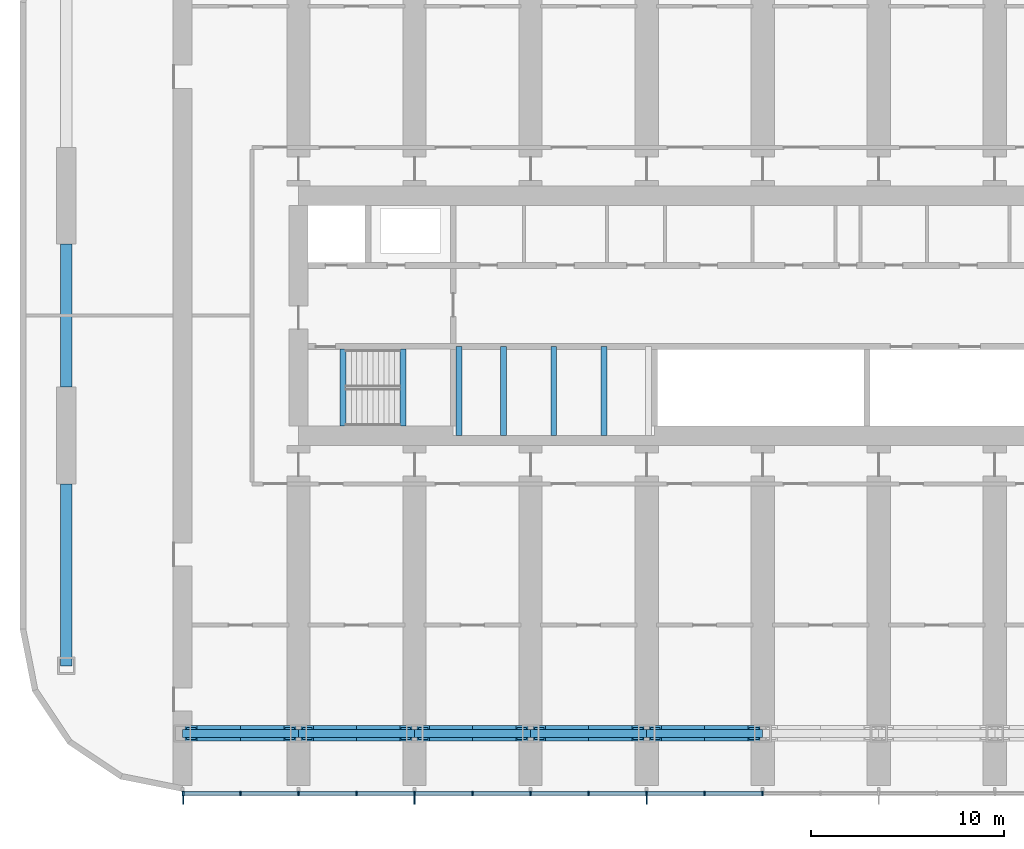
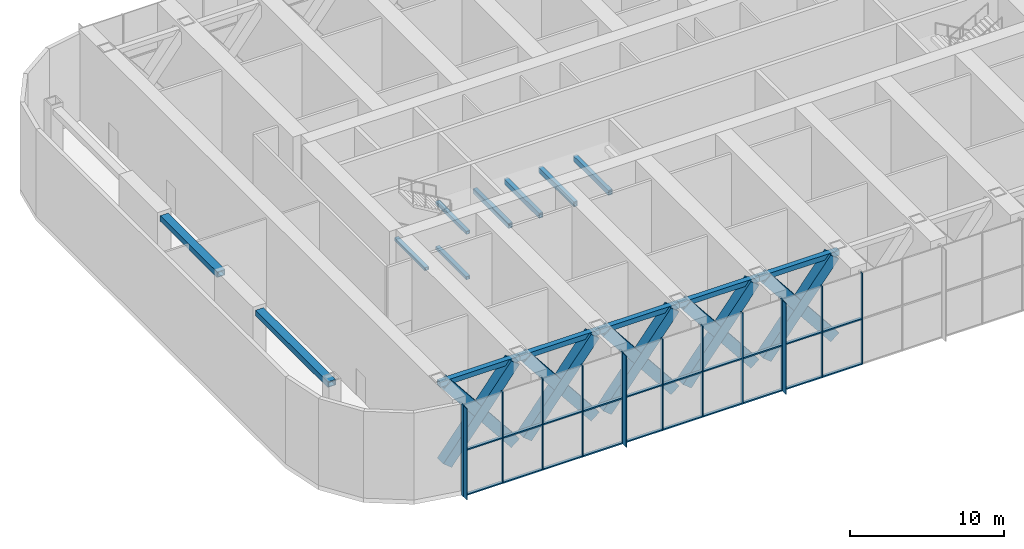
# One storey, part 2 of 24: 44 members, 14 beams, 1 element without a shape of its own.
"""IFC4 building model written with IfcOpenShell, lengths in metres."""

import ifcopenshell
import ifcopenshell.guid

model = None  # the IFC model being written
_history = None  # IfcOwnerHistory: only IFC2X3 demands one
_inside = {}  # id of a spatial element -> (the spatial element, [elements in it])
_under = {}  # id of a project, library or spatial element -> (it, [spatial elements below it])
_declared = {}  # id of a project -> (the project, [libraries it declares])
_typed = {}  # id of a type object -> (the type object, [elements of that type])
_made_of = {}  # id of a material, layer set ... -> (it, [elements and type objects made of it])


def new_model(schema):
    """Start an empty IFC model of exactly this schema.

    Asked for "IFC4X3", IfcOpenShell would pick the latest addendum, in which some entities
    have other attributes; the version numbers below select the first issue.
    IFC2X3 requires an IfcOwnerHistory on every rooted entity: one is made here for all.
    """
    global model, _history
    if schema == "IFC4X3":
        model = ifcopenshell.file(schema_version=(4, 3, 0, 0))
    else:
        model = ifcopenshell.file(schema=schema)
    _inside.clear()
    _under.clear()
    _declared.clear()
    _typed.clear()
    _made_of.clear()
    _history = None
    if model.schema == "IFC2X3":
        org = make("IfcOrganization", Name="unknown")
        user = make(
            "IfcPersonAndOrganization",
            ThePerson=make("IfcPerson", FamilyName="unknown"),
            TheOrganization=org,
        )
        app = make(
            "IfcApplication",
            ApplicationDeveloper=org,
            Version="unknown",
            ApplicationFullName="unknown",
            ApplicationIdentifier="unknown",
        )
        _history = make(
            "IfcOwnerHistory",
            OwningUser=user,
            OwningApplication=app,
            ChangeAction="ADDED",
            CreationDate=0,
        )
    return model


def make(cls, **values):
    """One entity of the class cls with the attributes given. An attribute that is None is left unset."""
    return model.create_entity(
        cls, **{name: value for name, value in values.items() if value is not None}
    )


def rooted(cls, **values):
    """An entity with a GlobalId (a new one), such as an element, a storey or a relation."""
    return make(cls, GlobalId=ifcopenshell.guid.new(), OwnerHistory=_history, **values)


def si_unit(unit_type, name, prefix=None):
    """IfcSIUnit, for example si_unit("LENGTHUNIT", "METRE", prefix="MILLI")."""
    return make("IfcSIUnit", UnitType=unit_type, Prefix=prefix, Name=name)


def assignment(units):
    """IfcUnitAssignment: the units of a project."""
    return None if units is None else make("IfcUnitAssignment", Units=units)


def point(xyz):
    """IfcCartesianPoint."""
    return None if xyz is None else make("IfcCartesianPoint", Coordinates=xyz)


def direction(xyz):
    """IfcDirection."""
    return None if xyz is None else make("IfcDirection", DirectionRatios=xyz)


def frame(location, z_axis=None, x_axis=None):
    """IfcAxis2Placement3D, a coordinate frame: its origin and axes. An axis left out is left unset."""
    return make(
        "IfcAxis2Placement3D",
        Location=point(location),
        Axis=direction(z_axis),
        RefDirection=direction(x_axis),
    )


def frame_2d(location, x_axis=None):
    """IfcAxis2Placement2D, a coordinate frame in the plane: its origin and x axis."""
    return make(
        "IfcAxis2Placement2D", Location=point(location), RefDirection=direction(x_axis)
    )


def origin():
    """The frame at (0, 0, 0) with its axes left unset."""
    return frame((0.0, 0.0, 0.0))


def origin_2d():
    """The frame at (0, 0) in the plane with its x axis left unset."""
    return frame_2d((0.0, 0.0))


def place(relative_to, where):
    """IfcLocalPlacement: puts the frame where relative to a parent placement (None: the world)."""
    return make(
        "IfcLocalPlacement", PlacementRelTo=relative_to, RelativePlacement=where
    )


def context(
    kind, dimensions, precision=None, world=None, true_north=None, identifier=None
):
    """IfcGeometricRepresentationContext, for example the 3D "Model" context."""
    return make(
        "IfcGeometricRepresentationContext",
        ContextIdentifier=identifier,
        ContextType=kind,
        CoordinateSpaceDimension=dimensions,
        Precision=precision,
        WorldCoordinateSystem=world,
        TrueNorth=true_north,
    )


def subcontext(parent, identifier, kind, view, scale=None):
    """IfcGeometricRepresentationSubContext, for example "Body" below "Model"."""
    return make(
        "IfcGeometricRepresentationSubContext",
        ContextIdentifier=identifier,
        ContextType=kind,
        ParentContext=parent,
        TargetScale=scale,
        TargetView=view,
    )


def project(units=None, contexts=None):
    """IfcProject with its units and contexts."""
    return rooted(
        "IfcProject",
        Name="project",
        RepresentationContexts=contexts,
        UnitsInContext=assignment(units),
    )


def spatial(cls, under=None, at=None, **own):
    """A site, building, storey or space (cls), placed at a placement, below another one or the project."""
    s = rooted(cls, ObjectPlacement=at, **own)
    if under is not None:
        _under.setdefault(under.id(), (under, []))[1].append(s)
    return s


def profile(cls, at=None, kind="AREA", **sizes):
    """A parametric profile (cls). Its sizes go by their IFC names, for example OverallWidth=200.0."""
    return make(cls, ProfileType=kind, Position=at, **sizes)


def rectangle(**sizes):
    """IfcRectangleProfileDef."""
    return profile("IfcRectangleProfileDef", **sizes)


def hollow_rectangle(**sizes):
    """IfcRectangleHollowProfileDef."""
    return profile("IfcRectangleHollowProfileDef", **sizes)


def extrude(swept, where, along, depth):
    """IfcExtrudedAreaSolid: the profile swept, set in the frame where, extruded along a direction by depth."""
    return make(
        "IfcExtrudedAreaSolid",
        SweptArea=swept,
        Position=where,
        ExtrudedDirection=direction(along),
        Depth=depth,
    )


def shape(context_of_items, identifier, shape_type, items):
    """IfcShapeRepresentation: the items that make up one representation, for example the "Body"."""
    return make(
        "IfcShapeRepresentation",
        ContextOfItems=context_of_items,
        RepresentationIdentifier=identifier,
        RepresentationType=shape_type,
        Items=items,
    )


def material(Name=None, Category=None):
    """IfcMaterial."""
    return make("IfcMaterial", Name=Name, Category=Category)


def material_profile(
    of_material, cross_section, Name=None, Category=None, Priority=None
):
    """IfcMaterialProfile: a cross section and its material."""
    return make(
        "IfcMaterialProfile",
        Name=Name,
        Material=of_material,
        Profile=cross_section,
        Priority=Priority,
        Category=Category,
    )


def profile_set(profiles, Name=None, composite=None):
    """IfcMaterialProfileSet."""
    return make(
        "IfcMaterialProfileSet",
        Name=Name,
        MaterialProfiles=profiles,
        CompositeProfile=composite,
    )


def made_of(thing, what):
    """Note that an element or type object is made of a material, layer set ...; save() writes the relation."""
    if what is not None:
        _made_of.setdefault(what.id(), (what, []))[1].append(thing)
    return thing


def type_object(cls, material=None, **own):
    """A type object (cls), such as IfcWallType, which elements share."""
    return made_of(rooted(cls, **own), material)


def element(
    cls,
    number,
    at=None,
    inside=None,
    cuts=None,
    type_object=None,
    material=None,
    context=None,
    identifier="Body",
    shape_type=None,
    held_by="IfcProductDefinitionShape",
    body=None,
    shapes=None,
    **own,
):
    """One element of the class cls, such as IfcWall. Its Tag is "e" and its number.

    at: its placement. inside: the storey or other place that contains it. cuts: it is an
    opening in that element (IfcRelVoidsElement). A single representation is given by context,
    identifier, shape_type and body (its items); several are given by shapes. held_by: the class
    of the entity that holds the representations. save() writes the other relations.
    """
    e = rooted(cls, Tag="e%d" % number, ObjectPlacement=at, **own)
    if body is not None:
        shapes = [shape(context, identifier, shape_type, body)]
    if shapes is not None:
        e.Representation = make(held_by, Representations=shapes)
    if inside is not None:
        _inside.setdefault(inside.id(), (inside, []))[1].append(e)
    if cuts is not None:
        rooted(
            "IfcRelVoidsElement", RelatingBuildingElement=cuts, RelatedOpeningElement=e
        )
    if type_object is not None:
        _typed.setdefault(type_object.id(), (type_object, []))[1].append(e)
    return made_of(e, material)


def aggregate(whole, parts):
    """IfcRelAggregates: a whole, such as a stair, and the parts it consists of."""
    return rooted("IfcRelAggregates", RelatingObject=whole, RelatedObjects=parts)


def save(model, path):
    """Write the relations noted so far, then the file.

    IfcRelAggregates (storeys below a building ...), IfcRelContainedInSpatialStructure (elements
    in a storey), IfcRelDefinesByType, IfcRelAssociatesMaterial and IfcRelDeclares: one each for
    every whole, place, type object, material and project.
    """
    for whole, parts in _under.values():
        aggregate(whole, parts)
    for where, things in _inside.values():
        rooted(
            "IfcRelContainedInSpatialStructure",
            RelatedElements=things,
            RelatingStructure=where,
        )
    for kind, things in _typed.values():
        rooted("IfcRelDefinesByType", RelatedObjects=things, RelatingType=kind)
    for what, things in _made_of.values():
        rooted("IfcRelAssociatesMaterial", RelatedObjects=things, RelatingMaterial=what)
    for by, libraries in _declared.values():
        rooted("IfcRelDeclares", RelatingContext=by, RelatedDefinitions=libraries)
    model.write(path)


model = new_model("IFC4")

# Units and contexts
model_context = context("Model", 3, precision=1e-05, world=origin(), true_north=direction((0.0, 1.0)))
body_context = subcontext(model_context, "Body", "Model", "MODEL_VIEW")
ifc_project = project(units=[si_unit("LENGTHUNIT", "METRE"), si_unit("AREAUNIT", "SQUARE_METRE"), si_unit("VOLUMEUNIT", "CUBIC_METRE"), si_unit("PLANEANGLEUNIT", "RADIAN"), si_unit("MASSUNIT", "GRAM", prefix="KILO")], contexts=[model_context])

# Site, building, storey
site_placement = place(None, origin())
site = spatial("IfcSite", under=ifc_project, at=site_placement, CompositionType="ELEMENT")
building_placement = place(site_placement, origin())
building = spatial("IfcBuilding", under=site, at=building_placement, Name="Orbita Commons", CompositionType="ELEMENT")
storey_placement = place(building_placement, frame((0.0, 0.0, 68.949951171875)))
storey = spatial("IfcBuildingStorey", under=building, at=storey_placement, Name="L17", CompositionType="ELEMENT", Elevation=68.949951171875)

# Members
ifc_material_1 = material(Name="Steel ASTM A572 Gr 50 welded plate", Category="steel")
ifc_material_profile_1 = material_profile(ifc_material_1, hollow_rectangle(XDim=0.800048828125, YDim=0.800048828125, WallThickness=0.080078125, at=origin_2d()), Name="BOX 800x800x80")
ifc_profile_set_1 = profile_set([ifc_material_profile_1], Name="Steel ASTM A572 Gr 50 welded plate")
member_type_1 = type_object("IfcMemberType", Name="Belt truss diagonal BOX 800x800x80", PredefinedType="BRACE", material=ifc_profile_set_1)
for number, where, z_axis, x_axis, name in (
    (1, (12.449951171875, 10.39990234375, 0.25), (0.623202279578, 0.0, 0.782060687369), (0.0, 1.0, 0.0), "Belt truss diagonal B 3-4 rising L17"),
    (2, (12.449951171875, 10.39990234375, 6.650146484375), (0.623202279578, 0.0, -0.782060687369), (0.0, 1.0, 0.0), "Belt truss diagonal B 3-4 falling L17"),
    (3, (18.449951171875, 10.39990234375, 0.25), (0.623202279578, 0.0, 0.782060687369), (0.0, 1.0, 0.0), "Belt truss diagonal B 4-5 rising L17"),
    (4, (18.449951171875, 10.39990234375, 6.650146484375), (0.623202279578, 0.0, -0.782060687369), (0.0, 1.0, 0.0), "Belt truss diagonal B 4-5 falling L17"),
    (5, (24.449951171875, 10.39990234375, 0.25), (0.623202279578, 0.0, 0.782060687369), (0.0, 1.0, 0.0), "Belt truss diagonal B 5-6 rising L17"),
    (6, (24.449951171875, 10.39990234375, 6.650146484375), (0.623202279578, 0.0, -0.782060687369), (0.0, 1.0, 0.0), "Belt truss diagonal B 5-6 falling L17"),
    (7, (30.449951171875, 10.39990234375, 0.25), (0.623202279578, 0.0, 0.782060687369), (0.0, 1.0, 0.0), "Belt truss diagonal B 6-7 rising L17"),
    (8, (30.449951171875, 10.39990234375, 6.650146484375), (0.623202279578, 0.0, -0.782060687369), (0.0, 1.0, 0.0), "Belt truss diagonal B 6-7 falling L17"),
    (9, (36.449951171875, 10.39990234375, 0.25), (0.623202279578, 0.0, 0.782060687369), (0.0, 1.0, 0.0), "Belt truss diagonal B 7-8 rising L17"),
    (10, (36.449951171875, 10.39990234375, 6.650146484375), (0.623202279578, 0.0, -0.782060687369), (0.0, 1.0, 0.0), "Belt truss diagonal B 7-8 falling L17"),
):
    element("IfcMember", number, at=place(storey_placement, frame(where, z_axis=z_axis, x_axis=x_axis)), inside=storey, type_object=member_type_1, Name=name, PredefinedType="BRACE", context=body_context, shape_type="SweptSolid", body=[
        extrude(hollow_rectangle(XDim=0.800048828125, YDim=0.800048828125, WallThickness=0.080078125, at=origin_2d()), origin(), (0.0, 0.0, 1.0), 8.18359375),
    ])

# Curtain wall, members
ifc_material_2 = material(Name="Anodised aluminium frame, pale silver", Category="aluminium")
curtain_wall_type = type_object("IfcCurtainWallType", Name="Louvred curtain wall CW-V", PredefinedType="NOTDEFINED", material=ifc_material_2)
curtain_wall_placement = place(storey_placement, origin())
curtain_wall = element("IfcCurtainWall", 11, at=curtain_wall_placement, inside=storey, type_object=curtain_wall_type, Name="Curtain wall south L17", PredefinedType="NOTDEFINED")
ifc_material_3 = material(Name="Anodised aluminium, pale silver", Category="aluminium")
ifc_material_profile_2 = material_profile(ifc_material_3, rectangle(XDim=0.080078125, YDim=0.219970703125, at=origin_2d()), Name="AL 80x220")
ifc_profile_set_2 = profile_set([ifc_material_profile_2], Name="Anodised aluminium, pale silver")
member_type_2 = type_object("IfcMemberType", Name="Curtain wall mullion 80x220", PredefinedType="MULLION", material=ifc_profile_set_2)
member_1_placement = place(storey_placement, frame((12.0400390625, 7.2900390625, -0.349853515625), z_axis=(0.0, 0.0, 1.0), x_axis=(1.0, 0.0, 0.0)))
member_1 = element("IfcMember", 12, at=member_1_placement, type_object=member_type_2, Name="Mullion 1 CW-L17-S", PredefinedType="MULLION", context=body_context, shape_type="SweptSolid", body=[
    extrude(rectangle(XDim=0.080078125, YDim=0.219970703125, at=origin_2d()), origin(), (0.0, 0.0, 1.0), 7.25),
])
member_2_placement = place(storey_placement, frame((15.0, 7.2900390625, -0.349853515625), z_axis=(0.0, 0.0, 1.0), x_axis=(1.0, 0.0, 0.0)))
member_2 = element("IfcMember", 13, at=member_2_placement, type_object=member_type_2, Name="Mullion 2 CW-L17-S", PredefinedType="MULLION", context=body_context, shape_type="SweptSolid", body=[
    extrude(rectangle(XDim=0.080078125, YDim=0.219970703125, at=origin_2d()), origin(), (0.0, 0.0, 1.0), 7.25),
])
member_3_placement = place(storey_placement, frame((18.0, 7.2900390625, -0.349853515625), z_axis=(0.0, 0.0, 1.0), x_axis=(1.0, 0.0, 0.0)))
member_3 = element("IfcMember", 14, at=member_3_placement, type_object=member_type_2, Name="Mullion 3 CW-L17-S", PredefinedType="MULLION", context=body_context, shape_type="SweptSolid", body=[
    extrude(rectangle(XDim=0.080078125, YDim=0.219970703125, at=origin_2d()), origin(), (0.0, 0.0, 1.0), 7.25),
])
member_4_placement = place(storey_placement, frame((21.0, 7.2900390625, -0.349853515625), z_axis=(0.0, 0.0, 1.0), x_axis=(1.0, 0.0, 0.0)))
member_4 = element("IfcMember", 15, at=member_4_placement, type_object=member_type_2, Name="Mullion 4 CW-L17-S", PredefinedType="MULLION", context=body_context, shape_type="SweptSolid", body=[
    extrude(rectangle(XDim=0.080078125, YDim=0.219970703125, at=origin_2d()), origin(), (0.0, 0.0, 1.0), 7.25),
])
member_5_placement = place(storey_placement, frame((24.0, 7.2900390625, -0.349853515625), z_axis=(0.0, 0.0, 1.0), x_axis=(1.0, 0.0, 0.0)))
member_5 = element("IfcMember", 16, at=member_5_placement, type_object=member_type_2, Name="Mullion 5 CW-L17-S", PredefinedType="MULLION", context=body_context, shape_type="SweptSolid", body=[
    extrude(rectangle(XDim=0.080078125, YDim=0.219970703125, at=origin_2d()), origin(), (0.0, 0.0, 1.0), 7.25),
])
member_6_placement = place(storey_placement, frame((27.0, 7.2900390625, -0.349853515625), z_axis=(0.0, 0.0, 1.0), x_axis=(1.0, 0.0, 0.0)))
member_6 = element("IfcMember", 17, at=member_6_placement, type_object=member_type_2, Name="Mullion 6 CW-L17-S", PredefinedType="MULLION", context=body_context, shape_type="SweptSolid", body=[
    extrude(rectangle(XDim=0.080078125, YDim=0.219970703125, at=origin_2d()), origin(), (0.0, 0.0, 1.0), 7.25),
])
member_7_placement = place(storey_placement, frame((30.0, 7.2900390625, -0.349853515625), z_axis=(0.0, 0.0, 1.0), x_axis=(1.0, 0.0, 0.0)))
member_7 = element("IfcMember", 18, at=member_7_placement, type_object=member_type_2, Name="Mullion 7 CW-L17-S", PredefinedType="MULLION", context=body_context, shape_type="SweptSolid", body=[
    extrude(rectangle(XDim=0.080078125, YDim=0.219970703125, at=origin_2d()), origin(), (0.0, 0.0, 1.0), 7.25),
])
member_8_placement = place(storey_placement, frame((33.0, 7.2900390625, -0.349853515625), z_axis=(0.0, 0.0, 1.0), x_axis=(1.0, 0.0, 0.0)))
member_8 = element("IfcMember", 19, at=member_8_placement, type_object=member_type_2, Name="Mullion 8 CW-L17-S", PredefinedType="MULLION", context=body_context, shape_type="SweptSolid", body=[
    extrude(rectangle(XDim=0.080078125, YDim=0.219970703125, at=origin_2d()), origin(), (0.0, 0.0, 1.0), 7.25),
])
member_9_placement = place(storey_placement, frame((36.0, 7.2900390625, -0.349853515625), z_axis=(0.0, 0.0, 1.0), x_axis=(1.0, 0.0, 0.0)))
member_9 = element("IfcMember", 20, at=member_9_placement, type_object=member_type_2, Name="Mullion 9 CW-L17-S", PredefinedType="MULLION", context=body_context, shape_type="SweptSolid", body=[
    extrude(rectangle(XDim=0.080078125, YDim=0.219970703125, at=origin_2d()), origin(), (0.0, 0.0, 1.0), 7.25),
])
member_10_placement = place(storey_placement, frame((39.0, 7.2900390625, -0.349853515625), z_axis=(0.0, 0.0, 1.0), x_axis=(1.0, 0.0, 0.0)))
member_10 = element("IfcMember", 21, at=member_10_placement, type_object=member_type_2, Name="Mullion 10 CW-L17-S", PredefinedType="MULLION", context=body_context, shape_type="SweptSolid", body=[
    extrude(rectangle(XDim=0.080078125, YDim=0.219970703125, at=origin_2d()), origin(), (0.0, 0.0, 1.0), 7.25),
])
member_11_placement = place(storey_placement, frame((42.0, 7.2900390625, -0.349853515625), z_axis=(0.0, 0.0, 1.0), x_axis=(1.0, 0.0, 0.0)))
member_11 = element("IfcMember", 22, at=member_11_placement, type_object=member_type_2, Name="Mullion 11 CW-L17-S", PredefinedType="MULLION", context=body_context, shape_type="SweptSolid", body=[
    extrude(rectangle(XDim=0.080078125, YDim=0.219970703125, at=origin_2d()), origin(), (0.0, 0.0, 1.0), 7.25),
])
ifc_material_4 = material(Name="Anodised aluminium, pale silver", Category="aluminium")
ifc_material_profile_3 = material_profile(ifc_material_4, rectangle(XDim=0.219970703125, YDim=0.10009765625, at=origin_2d()), Name="AL 220x100")
ifc_profile_set_3 = profile_set([ifc_material_profile_3], Name="Anodised aluminium, pale silver")
member_type_3 = type_object("IfcMemberType", Name="Curtain wall stack transom 220x100", PredefinedType="USERDEFINED", material=ifc_profile_set_3)
member_12_placement = place(storey_placement, frame((12.080078125, 7.2900390625, -0.300048828125), z_axis=(1.0, 0.0, 0.0), x_axis=(0.0, 1.0, 0.0)))
member_12 = element("IfcMember", 23, at=member_12_placement, type_object=member_type_3, Name="Transom 1.1 CW-L17-S", ObjectType="TRANSOM", PredefinedType="USERDEFINED", context=body_context, shape_type="SweptSolid", body=[
    extrude(rectangle(XDim=0.219970703125, YDim=0.10009765625, at=origin_2d()), origin(), (0.0, 0.0, 1.0), 2.8798828125),
])
member_13_placement = place(storey_placement, frame((12.080078125, 7.2900390625, 3.275146484375), z_axis=(1.0, 0.0, 0.0), x_axis=(0.0, 1.0, 0.0)))
member_13 = element("IfcMember", 24, at=member_13_placement, type_object=member_type_3, Name="Transom 1.2 CW-L17-S", ObjectType="TRANSOM", PredefinedType="USERDEFINED", context=body_context, shape_type="SweptSolid", body=[
    extrude(rectangle(XDim=0.219970703125, YDim=0.10009765625, at=origin_2d()), origin(), (0.0, 0.0, 1.0), 2.8798828125),
])
member_14_placement = place(storey_placement, frame((15.0400390625, 7.2900390625, -0.300048828125), z_axis=(1.0, 0.0, 0.0), x_axis=(0.0, 1.0, 0.0)))
member_14 = element("IfcMember", 25, at=member_14_placement, type_object=member_type_3, Name="Transom 2.1 CW-L17-S", ObjectType="TRANSOM", PredefinedType="USERDEFINED", context=body_context, shape_type="SweptSolid", body=[
    extrude(rectangle(XDim=0.219970703125, YDim=0.10009765625, at=origin_2d()), origin(), (0.0, 0.0, 1.0), 2.919921875),
])
member_15_placement = place(storey_placement, frame((15.0400390625, 7.2900390625, 3.275146484375), z_axis=(1.0, 0.0, 0.0), x_axis=(0.0, 1.0, 0.0)))
member_15 = element("IfcMember", 26, at=member_15_placement, type_object=member_type_3, Name="Transom 2.2 CW-L17-S", ObjectType="TRANSOM", PredefinedType="USERDEFINED", context=body_context, shape_type="SweptSolid", body=[
    extrude(rectangle(XDim=0.219970703125, YDim=0.10009765625, at=origin_2d()), origin(), (0.0, 0.0, 1.0), 2.919921875),
])
member_16_placement = place(storey_placement, frame((18.0400390625, 7.2900390625, -0.300048828125), z_axis=(1.0, 0.0, 0.0), x_axis=(0.0, 1.0, 0.0)))
member_16 = element("IfcMember", 27, at=member_16_placement, type_object=member_type_3, Name="Transom 3.1 CW-L17-S", ObjectType="TRANSOM", PredefinedType="USERDEFINED", context=body_context, shape_type="SweptSolid", body=[
    extrude(rectangle(XDim=0.219970703125, YDim=0.10009765625, at=origin_2d()), origin(), (0.0, 0.0, 1.0), 2.919921875),
])
member_17_placement = place(storey_placement, frame((18.0400390625, 7.2900390625, 3.275146484375), z_axis=(1.0, 0.0, 0.0), x_axis=(0.0, 1.0, 0.0)))
member_17 = element("IfcMember", 28, at=member_17_placement, type_object=member_type_3, Name="Transom 3.2 CW-L17-S", ObjectType="TRANSOM", PredefinedType="USERDEFINED", context=body_context, shape_type="SweptSolid", body=[
    extrude(rectangle(XDim=0.219970703125, YDim=0.10009765625, at=origin_2d()), origin(), (0.0, 0.0, 1.0), 2.919921875),
])
member_18_placement = place(storey_placement, frame((21.0400390625, 7.2900390625, -0.300048828125), z_axis=(1.0, 0.0, 0.0), x_axis=(0.0, 1.0, 0.0)))
member_18 = element("IfcMember", 29, at=member_18_placement, type_object=member_type_3, Name="Transom 4.1 CW-L17-S", ObjectType="TRANSOM", PredefinedType="USERDEFINED", context=body_context, shape_type="SweptSolid", body=[
    extrude(rectangle(XDim=0.219970703125, YDim=0.10009765625, at=origin_2d()), origin(), (0.0, 0.0, 1.0), 2.919921875),
])
member_19_placement = place(storey_placement, frame((21.0400390625, 7.2900390625, 3.275146484375), z_axis=(1.0, 0.0, 0.0), x_axis=(0.0, 1.0, 0.0)))
member_19 = element("IfcMember", 30, at=member_19_placement, type_object=member_type_3, Name="Transom 4.2 CW-L17-S", ObjectType="TRANSOM", PredefinedType="USERDEFINED", context=body_context, shape_type="SweptSolid", body=[
    extrude(rectangle(XDim=0.219970703125, YDim=0.10009765625, at=origin_2d()), origin(), (0.0, 0.0, 1.0), 2.919921875),
])
member_20_placement = place(storey_placement, frame((24.0400390625, 7.2900390625, -0.300048828125), z_axis=(1.0, 0.0, 0.0), x_axis=(0.0, 1.0, 0.0)))
member_20 = element("IfcMember", 31, at=member_20_placement, type_object=member_type_3, Name="Transom 5.1 CW-L17-S", ObjectType="TRANSOM", PredefinedType="USERDEFINED", context=body_context, shape_type="SweptSolid", body=[
    extrude(rectangle(XDim=0.219970703125, YDim=0.10009765625, at=origin_2d()), origin(), (0.0, 0.0, 1.0), 2.919921875),
])
member_21_placement = place(storey_placement, frame((24.0400390625, 7.2900390625, 3.275146484375), z_axis=(1.0, 0.0, 0.0), x_axis=(0.0, 1.0, 0.0)))
member_21 = element("IfcMember", 32, at=member_21_placement, type_object=member_type_3, Name="Transom 5.2 CW-L17-S", ObjectType="TRANSOM", PredefinedType="USERDEFINED", context=body_context, shape_type="SweptSolid", body=[
    extrude(rectangle(XDim=0.219970703125, YDim=0.10009765625, at=origin_2d()), origin(), (0.0, 0.0, 1.0), 2.919921875),
])
member_22_placement = place(storey_placement, frame((27.0400390625, 7.2900390625, -0.300048828125), z_axis=(1.0, 0.0, 0.0), x_axis=(0.0, 1.0, 0.0)))
member_22 = element("IfcMember", 33, at=member_22_placement, type_object=member_type_3, Name="Transom 6.1 CW-L17-S", ObjectType="TRANSOM", PredefinedType="USERDEFINED", context=body_context, shape_type="SweptSolid", body=[
    extrude(rectangle(XDim=0.219970703125, YDim=0.10009765625, at=origin_2d()), origin(), (0.0, 0.0, 1.0), 2.919921875),
])
member_23_placement = place(storey_placement, frame((27.0400390625, 7.2900390625, 3.275146484375), z_axis=(1.0, 0.0, 0.0), x_axis=(0.0, 1.0, 0.0)))
member_23 = element("IfcMember", 34, at=member_23_placement, type_object=member_type_3, Name="Transom 6.2 CW-L17-S", ObjectType="TRANSOM", PredefinedType="USERDEFINED", context=body_context, shape_type="SweptSolid", body=[
    extrude(rectangle(XDim=0.219970703125, YDim=0.10009765625, at=origin_2d()), origin(), (0.0, 0.0, 1.0), 2.919921875),
])
member_24_placement = place(storey_placement, frame((30.0400390625, 7.2900390625, -0.300048828125), z_axis=(1.0, 0.0, 0.0), x_axis=(0.0, 1.0, 0.0)))
member_24 = element("IfcMember", 35, at=member_24_placement, type_object=member_type_3, Name="Transom 7.1 CW-L17-S", ObjectType="TRANSOM", PredefinedType="USERDEFINED", context=body_context, shape_type="SweptSolid", body=[
    extrude(rectangle(XDim=0.219970703125, YDim=0.10009765625, at=origin_2d()), origin(), (0.0, 0.0, 1.0), 2.919921875),
])
member_25_placement = place(storey_placement, frame((30.0400390625, 7.2900390625, 3.275146484375), z_axis=(1.0, 0.0, 0.0), x_axis=(0.0, 1.0, 0.0)))
member_25 = element("IfcMember", 36, at=member_25_placement, type_object=member_type_3, Name="Transom 7.2 CW-L17-S", ObjectType="TRANSOM", PredefinedType="USERDEFINED", context=body_context, shape_type="SweptSolid", body=[
    extrude(rectangle(XDim=0.219970703125, YDim=0.10009765625, at=origin_2d()), origin(), (0.0, 0.0, 1.0), 2.919921875),
])
member_26_placement = place(storey_placement, frame((33.0400390625, 7.2900390625, -0.300048828125), z_axis=(1.0, 0.0, 0.0), x_axis=(0.0, 1.0, 0.0)))
member_26 = element("IfcMember", 37, at=member_26_placement, type_object=member_type_3, Name="Transom 8.1 CW-L17-S", ObjectType="TRANSOM", PredefinedType="USERDEFINED", context=body_context, shape_type="SweptSolid", body=[
    extrude(rectangle(XDim=0.219970703125, YDim=0.10009765625, at=origin_2d()), origin(), (0.0, 0.0, 1.0), 2.919921875),
])
member_27_placement = place(storey_placement, frame((33.0400390625, 7.2900390625, 3.275146484375), z_axis=(1.0, 0.0, 0.0), x_axis=(0.0, 1.0, 0.0)))
member_27 = element("IfcMember", 38, at=member_27_placement, type_object=member_type_3, Name="Transom 8.2 CW-L17-S", ObjectType="TRANSOM", PredefinedType="USERDEFINED", context=body_context, shape_type="SweptSolid", body=[
    extrude(rectangle(XDim=0.219970703125, YDim=0.10009765625, at=origin_2d()), origin(), (0.0, 0.0, 1.0), 2.919921875),
])
member_28_placement = place(storey_placement, frame((36.0400390625, 7.2900390625, -0.300048828125), z_axis=(1.0, 0.0, 0.0), x_axis=(0.0, 1.0, 0.0)))
member_28 = element("IfcMember", 39, at=member_28_placement, type_object=member_type_3, Name="Transom 9.1 CW-L17-S", ObjectType="TRANSOM", PredefinedType="USERDEFINED", context=body_context, shape_type="SweptSolid", body=[
    extrude(rectangle(XDim=0.219970703125, YDim=0.10009765625, at=origin_2d()), origin(), (0.0, 0.0, 1.0), 2.919921875),
])
member_29_placement = place(storey_placement, frame((36.0400390625, 7.2900390625, 3.275146484375), z_axis=(1.0, 0.0, 0.0), x_axis=(0.0, 1.0, 0.0)))
member_29 = element("IfcMember", 40, at=member_29_placement, type_object=member_type_3, Name="Transom 9.2 CW-L17-S", ObjectType="TRANSOM", PredefinedType="USERDEFINED", context=body_context, shape_type="SweptSolid", body=[
    extrude(rectangle(XDim=0.219970703125, YDim=0.10009765625, at=origin_2d()), origin(), (0.0, 0.0, 1.0), 2.919921875),
])
member_30_placement = place(storey_placement, frame((39.0400390625, 7.2900390625, -0.300048828125), z_axis=(1.0, 0.0, 0.0), x_axis=(0.0, 1.0, 0.0)))
member_30 = element("IfcMember", 41, at=member_30_placement, type_object=member_type_3, Name="Transom 10.1 CW-L17-S", ObjectType="TRANSOM", PredefinedType="USERDEFINED", context=body_context, shape_type="SweptSolid", body=[
    extrude(rectangle(XDim=0.219970703125, YDim=0.10009765625, at=origin_2d()), origin(), (0.0, 0.0, 1.0), 2.919921875),
])
member_31_placement = place(storey_placement, frame((39.0400390625, 7.2900390625, 3.275146484375), z_axis=(1.0, 0.0, 0.0), x_axis=(0.0, 1.0, 0.0)))
member_31 = element("IfcMember", 42, at=member_31_placement, type_object=member_type_3, Name="Transom 10.2 CW-L17-S", ObjectType="TRANSOM", PredefinedType="USERDEFINED", context=body_context, shape_type="SweptSolid", body=[
    extrude(rectangle(XDim=0.219970703125, YDim=0.10009765625, at=origin_2d()), origin(), (0.0, 0.0, 1.0), 2.919921875),
])

# Beams
ifc_material_5 = material(Name="Steel ASTM A572 Gr 50 welded plate", Category="steel")
ifc_material_profile_4 = material_profile(ifc_material_5, hollow_rectangle(XDim=0.300048828125, YDim=0.39990234375, WallThickness=0.0400390625, at=origin_2d()), Name="BOX 400x300x40")
ifc_profile_set_4 = profile_set([ifc_material_profile_4], Name="Steel ASTM A572 Gr 50 welded plate")
beam_type_1 = type_object("IfcBeamType", Name="Lift pit beam steel BOX 400x300x40", PredefinedType="BEAM", material=ifc_profile_set_4)
for number, where, z_axis, x_axis, name in (
    (43, (26.300048828125, 25.800048828125, 4.900146484375), (0.0, 1.0, 0.0), (-1.0, 0.0, 0.0), "Lift pit slab bank P2 beam 1"),
    (44, (28.60009765625, 25.800048828125, 4.900146484375), (0.0, 1.0, 0.0), (-1.0, 0.0, 0.0), "Lift pit slab bank P2 beam 2"),
    (45, (31.199951171875, 25.800048828125, 4.900146484375), (0.0, 1.0, 0.0), (-1.0, 0.0, 0.0), "Lift pit slab bank P2 beam 3"),
    (46, (33.800048828125, 25.800048828125, 4.900146484375), (0.0, 1.0, 0.0), (-1.0, 0.0, 0.0), "Lift pit slab bank P2 beam 4"),
):
    element("IfcBeam", number, at=place(storey_placement, frame(where, z_axis=z_axis, x_axis=x_axis)), inside=storey, type_object=beam_type_1, Name=name, PredefinedType="BEAM", context=body_context, shape_type="SweptSolid", body=[
        extrude(hollow_rectangle(XDim=0.300048828125, YDim=0.39990234375, WallThickness=0.0400390625, at=origin_2d()), origin(), (0.0, 0.0, 1.0), 4.599853515625),
    ])
ifc_material_6 = material(Name="Steel ASTM A572 Gr 50 welded plate", Category="steel")
ifc_material_profile_5 = material_profile(ifc_material_6, hollow_rectangle(XDim=0.300048828125, YDim=0.25, WallThickness=0.02490234375, at=origin_2d()), Name="BOX 250x300x25")
ifc_profile_set_5 = profile_set([ifc_material_profile_5], Name="Steel ASTM A572 Gr 50 welded plate")
beam_type_2 = type_object("IfcBeamType", Name="Stair landing beam steel BOX 250x300x25", PredefinedType="BEAM", material=ifc_profile_set_5)
for number, where, z_axis, x_axis, name in (
    (47, (23.39990234375, 26.284912109375, 1.47509765625), (0.0, 1.0, 0.0), (-1.0, 0.0, 0.0), "Stair S1 landing beam L17 1"),
    (48, (20.300048828125, 26.284912109375, 3.275146484375), (0.0, 1.0, 0.0), (-1.0, 0.0, 0.0), "Stair S1 landing beam L17 2"),
    (49, (23.39990234375, 26.284912109375, 5.074951171875), (0.0, 1.0, 0.0), (-1.0, 0.0, 0.0), "Stair S1 landing beam L17 3"),
):
    element("IfcBeam", number, at=place(storey_placement, frame(where, z_axis=z_axis, x_axis=x_axis)), inside=storey, type_object=beam_type_2, Name=name, PredefinedType="BEAM", context=body_context, shape_type="SweptSolid", body=[
        extrude(hollow_rectangle(XDim=0.300048828125, YDim=0.25, WallThickness=0.02490234375, at=origin_2d()), origin(), (0.0, 0.0, 1.0), 3.97998046875),
    ])
ifc_material_7 = material(Name="Steel ASTM A572 Gr 50 welded plate", Category="steel")
ifc_material_profile_6 = material_profile(ifc_material_7, hollow_rectangle(XDim=0.60009765625, YDim=0.449951171875, WallThickness=0.06005859375, at=origin_2d()), Name="BOX 450x600x60")
ifc_profile_set_6 = profile_set([ifc_material_profile_6], Name="Steel ASTM A572 Gr 50 welded plate")
beam_type_3 = type_object("IfcBeamType", Name="Steel end frame link BOX 450x600x60", PredefinedType="BEAM", material=ifc_profile_set_6)
beam_1_placement = place(storey_placement, frame((6.0, 13.89990234375, 6.675048828125), z_axis=(0.0, 1.0, 0.0), x_axis=(-1.0, 0.0, 0.0)))
element("IfcBeam", 50, at=beam_1_placement, inside=storey, type_object=beam_type_3, Name="End frame beam 2 B-C L17", PredefinedType="BEAM", context=body_context, shape_type="SweptSolid", body=[
    extrude(hollow_rectangle(XDim=0.60009765625, YDim=0.449951171875, WallThickness=0.06005859375, at=origin_2d()), origin(), (0.0, 0.0, 1.0), 9.400146484375),
])
beam_2_placement = place(storey_placement, frame((6.0, 28.300048828125, 6.675048828125), z_axis=(0.0, 1.0, 0.0), x_axis=(-1.0, 0.0, 0.0)))
element("IfcBeam", 51, at=beam_2_placement, inside=storey, type_object=beam_type_3, Name="End frame beam 2 C-D L17", PredefinedType="BEAM", context=body_context, shape_type="SweptSolid", body=[
    extrude(hollow_rectangle(XDim=0.60009765625, YDim=0.449951171875, WallThickness=0.06005859375, at=origin_2d()), origin(), (0.0, 0.0, 1.0), 7.39990234375),
])
ifc_material_8 = material(Name="Steel ASTM A572 Gr 50 welded plate", Category="steel")
ifc_material_profile_7 = material_profile(ifc_material_8, hollow_rectangle(XDim=0.39990234375, YDim=0.39990234375, WallThickness=0.0400390625, at=origin_2d()), Name="BOX 400x400x40")
ifc_profile_set_7 = profile_set([ifc_material_profile_7], Name="Steel ASTM A572 Gr 50 welded plate")
beam_type_4 = type_object("IfcBeamType", Name="Steel spandrel BOX 400x400x40", PredefinedType="SPANDREL", material=ifc_profile_set_7)
for number, where, z_axis, x_axis, name in (
    (52, (12.0, 10.39990234375, 6.699951171875), (1.0, 0.0, 0.0), (0.0, 1.0, 0.0), "Spandrel beam B 3-4 L17"),
    (53, (18.0, 10.39990234375, 6.699951171875), (1.0, 0.0, 0.0), (0.0, 1.0, 0.0), "Spandrel beam B 4-5 L17"),
    (54, (24.0, 10.39990234375, 6.699951171875), (1.0, 0.0, 0.0), (0.0, 1.0, 0.0), "Spandrel beam B 5-6 L17"),
    (55, (30.0, 10.39990234375, 6.699951171875), (1.0, 0.0, 0.0), (0.0, 1.0, 0.0), "Spandrel beam B 6-7 L17"),
    (56, (36.0, 10.39990234375, 6.699951171875), (1.0, 0.0, 0.0), (0.0, 1.0, 0.0), "Spandrel beam B 7-8 L17"),
):
    element("IfcBeam", number, at=place(storey_placement, frame(where, z_axis=z_axis, x_axis=x_axis)), inside=storey, type_object=beam_type_4, Name=name, PredefinedType="SPANDREL", context=body_context, shape_type="SweptSolid", body=[
        extrude(hollow_rectangle(XDim=0.39990234375, YDim=0.39990234375, WallThickness=0.0400390625, at=origin_2d()), origin(), (0.0, 0.0, 1.0), 6.0),
    ])

# Member
ifc_material_9 = material(Name="Anodised aluminium, pale silver", Category="aluminium")
ifc_material_profile_8 = material_profile(ifc_material_9, rectangle(XDim=0.06005859375, YDim=0.449951171875, at=origin_2d()), Name="FIN 60x450")
ifc_profile_set_8 = profile_set([ifc_material_profile_8], Name="Anodised aluminium, pale silver")
member_type_4 = type_object("IfcMemberType", Name="Vertical fin 60x450 pale aluminium", PredefinedType="USERDEFINED", material=ifc_profile_set_8)
member_32_placement = place(storey_placement, frame((12.0400390625, 6.955078125, -0.349853515625), z_axis=(0.0, 0.0, 1.0), x_axis=(1.0, 0.0, 0.0)))
member_32 = element("IfcMember", 57, at=member_32_placement, type_object=member_type_4, Name="Fin 1 CW-L17-S", ObjectType="FIN", PredefinedType="USERDEFINED", context=body_context, shape_type="SweptSolid", body=[
    extrude(rectangle(XDim=0.06005859375, YDim=0.449951171875, at=origin_2d()), origin(), (0.0, 0.0, 1.0), 7.25),
])

member_33_placement = place(storey_placement, frame((24.0, 6.955078125, -0.349853515625), z_axis=(0.0, 0.0, 1.0), x_axis=(1.0, 0.0, 0.0)))
member_33 = element("IfcMember", 58, at=member_33_placement, type_object=member_type_4, Name="Fin 5 CW-L17-S", ObjectType="FIN", PredefinedType="USERDEFINED", context=body_context, shape_type="SweptSolid", body=[
    extrude(rectangle(XDim=0.06005859375, YDim=0.449951171875, at=origin_2d()), origin(), (0.0, 0.0, 1.0), 7.25),
])

member_34_placement = place(storey_placement, frame((36.0, 6.955078125, -0.349853515625), z_axis=(0.0, 0.0, 1.0), x_axis=(1.0, 0.0, 0.0)))
member_34 = element("IfcMember", 59, at=member_34_placement, type_object=member_type_4, Name="Fin 9 CW-L17-S", ObjectType="FIN", PredefinedType="USERDEFINED", context=body_context, shape_type="SweptSolid", body=[
    extrude(rectangle(XDim=0.06005859375, YDim=0.449951171875, at=origin_2d()), origin(), (0.0, 0.0, 1.0), 7.25),
])

aggregate(curtain_wall, [member_1, member_32, member_2, member_3, member_4, member_5, member_33, member_6, member_7, member_8, member_9, member_34, member_10, member_11, member_12, member_13, member_14, member_15, member_16, member_17, member_18, member_19, member_20, member_21, member_22, member_23, member_24, member_25, member_26, member_27, member_28, member_29, member_30, member_31])

save(model, "model.ifc")
